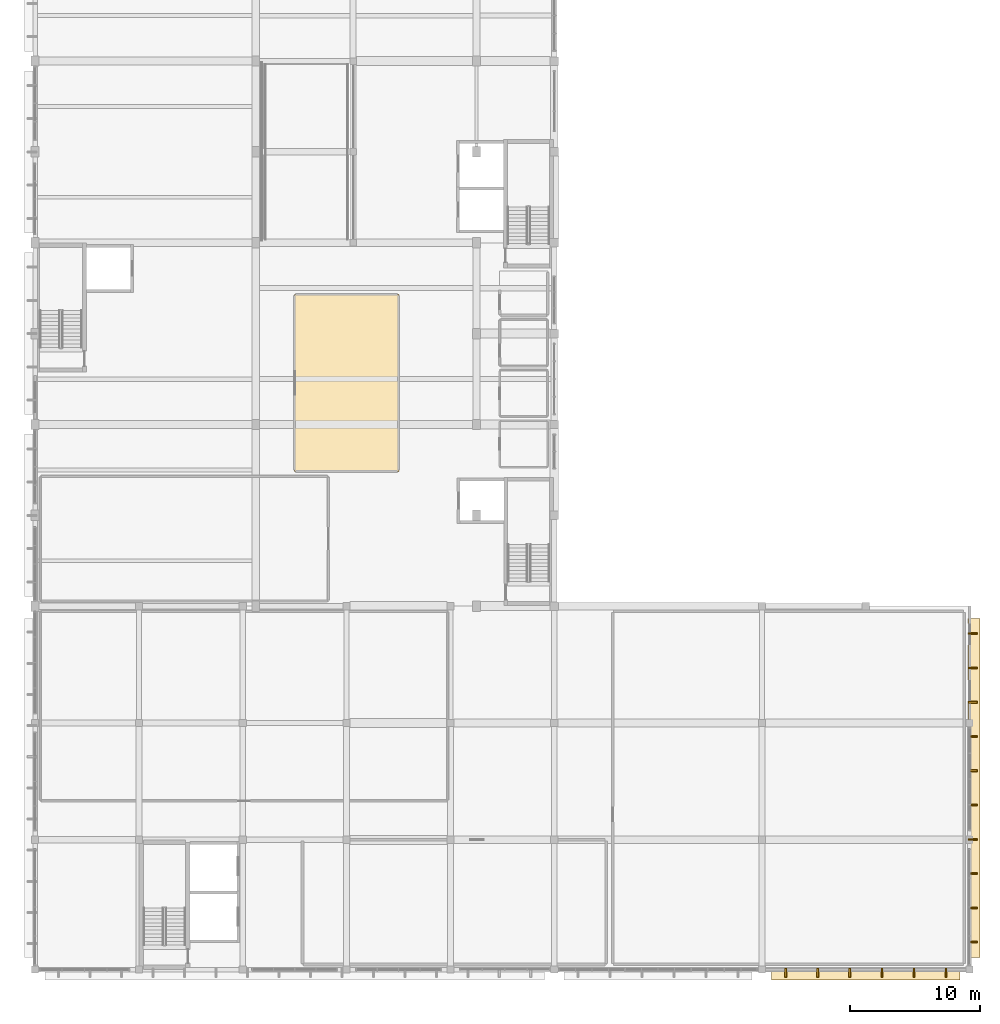
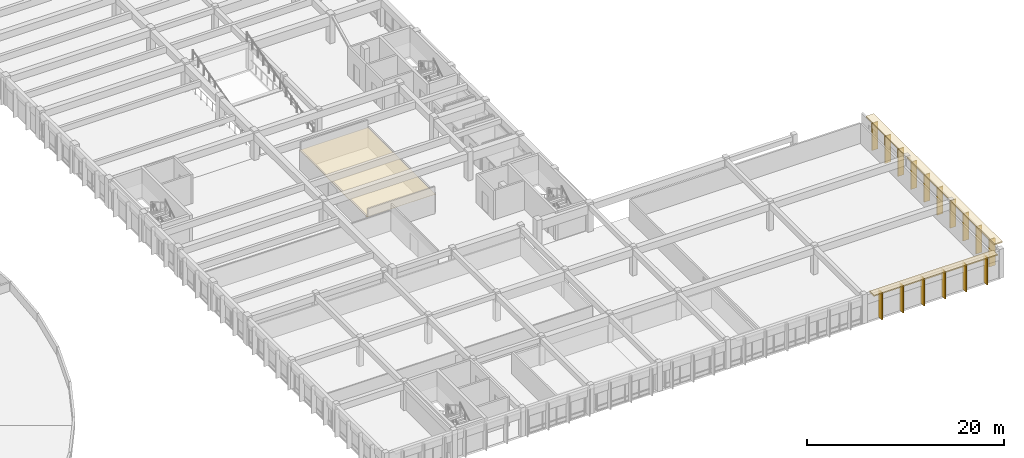
# One storey, part 74 of 77: 19 coverings.
"""IFC4 building model written with IfcOpenShell, lengths in metres."""

from ifc_helpers import new_model, si_unit, direction, frame, origin, origin_2d, place, context, subcontext, project, spatial, polyline, rectangle, outline, extrude, material, layer, layer_set, type_object, element, save


model = new_model("IFC4")

# Units and contexts
model_context = context("Model", 3, precision=1e-05, world=origin(), true_north=direction((0.0, 1.0)))
body_context = subcontext(model_context, "Body", "Model", "MODEL_VIEW")
ifc_project = project(units=[si_unit("LENGTHUNIT", "METRE"), si_unit("AREAUNIT", "SQUARE_METRE"), si_unit("VOLUMEUNIT", "CUBIC_METRE"), si_unit("PLANEANGLEUNIT", "RADIAN"), si_unit("MASSUNIT", "GRAM", prefix="KILO")], contexts=[model_context])

# Site, building, storey
site_placement = place(None, origin())
site = spatial("IfcSite", under=ifc_project, at=site_placement, CompositionType="ELEMENT")
building_placement = place(site_placement, origin())
building = spatial("IfcBuilding", under=site, at=building_placement, Name="Larkveld Mobility Hub", CompositionType="ELEMENT")
storey_placement = place(building_placement, frame((0.0, 0.0, 12.0)))
storey = spatial("IfcBuildingStorey", under=building, at=storey_placement, Name="L03", CompositionType="ELEMENT", Elevation=12.0)

# Coverings
ifc_material_1 = material(Name="Precast concrete C50/60", Category="concrete")
ifc_layer_1 = layer(ifc_material_1, 0.14990234375, Name="Precast concrete C50/60", Category="concrete")
ifc_layer_set_1 = layer_set([ifc_layer_1], Name="Precast concrete C50/60")
covering_type_1 = type_object("IfcCoveringType", Name="COV-QSL-H01", PredefinedType="CLADDING", material=ifc_layer_set_1)
covering_1_placement = place(storey_placement, frame((176.0, -0.340087890625, 3.3701171875), z_axis=(0.0, 0.0, 1.0), x_axis=(1.0, 0.0, 0.0)))
element("IfcCovering", 1, at=covering_1_placement, inside=storey, type_object=covering_type_1, Name="Precast Quebra-Sol Horizontal Sunbreaker QSH-324", PredefinedType="CLADDING", context=body_context, shape_type="SweptSolid", body=[
    extrude(rectangle(XDim=14.5, YDim=0.919921875, at=origin_2d()), origin(), (0.0, 0.0, 1.0), 0.14990234375),
])
covering_2_placement = place(storey_placement, frame((184.340087890625, 14.0, 3.3701171875), z_axis=(0.0, 0.0, 1.0), x_axis=(0.0, 1.0, 0.0)))
element("IfcCovering", 2, at=covering_2_placement, inside=storey, type_object=covering_type_1, Name="Precast Quebra-Sol Horizontal Sunbreaker QSH-331", PredefinedType="CLADDING", context=body_context, shape_type="SweptSolid", body=[
    extrude(rectangle(XDim=26.10009765625, YDim=0.919921875, at=origin_2d()), origin(), (0.0, 0.0, 1.0), 0.14990234375),
])
ifc_layer_2 = layer(ifc_material_1, 0.1201171875, Name="Precast concrete C50/60", Category="concrete")
ifc_layer_set_2 = layer_set([ifc_layer_2], Name="Precast concrete C50/60")
covering_type_2 = type_object("IfcCoveringType", Name="COV-QSL-V01", PredefinedType="CLADDING", material=ifc_layer_set_2)
for number, where, z_axis, x_axis, name in (
    (3, (169.8330078125, -0.239990234375, -0.01953125), (0.0, 0.0, 1.0), (1.0, 0.0, 0.0), "Precast Quebra-Sol Vertical Fin QSV-325"),
    (4, (172.300048828125, -0.239990234375, -0.01953125), (0.0, 0.0, 1.0), (1.0, 0.0, 0.0), "Precast Quebra-Sol Vertical Fin QSV-326"),
    (5, (174.76708984375, -0.239990234375, -0.01953125), (0.0, 0.0, 1.0), (1.0, 0.0, 0.0), "Precast Quebra-Sol Vertical Fin QSV-327"),
    (6, (177.23291015625, -0.239990234375, -0.01953125), (0.0, 0.0, 1.0), (1.0, 0.0, 0.0), "Precast Quebra-Sol Vertical Fin QSV-328"),
    (7, (179.699951171875, -0.239990234375, -0.01953125), (0.0, 0.0, 1.0), (1.0, 0.0, 0.0), "Precast Quebra-Sol Vertical Fin QSV-329"),
    (8, (182.1669921875, -0.239990234375, -0.01953125), (0.0, 0.0, 1.0), (1.0, 0.0, 0.0), "Precast Quebra-Sol Vertical Fin QSV-330"),
    (9, (184.239990234375, 2.1201171875, -0.01953125), (0.0, 0.0, 1.0), (0.0, 1.0, 0.0), "Precast Quebra-Sol Vertical Fin QSV-332"),
    (10, (184.239990234375, 4.760009765625, -0.01953125), (0.0, 0.0, 1.0), (0.0, 1.0, 0.0), "Precast Quebra-Sol Vertical Fin QSV-333"),
    (11, (184.239990234375, 7.39990234375, -0.01953125), (0.0, 0.0, 1.0), (0.0, 1.0, 0.0), "Precast Quebra-Sol Vertical Fin QSV-334"),
    (12, (184.239990234375, 10.0400390625, -0.01953125), (0.0, 0.0, 1.0), (0.0, 1.0, 0.0), "Precast Quebra-Sol Vertical Fin QSV-335"),
    (13, (184.239990234375, 12.679931640625, -0.01953125), (0.0, 0.0, 1.0), (0.0, 1.0, 0.0), "Precast Quebra-Sol Vertical Fin QSV-336"),
    (14, (184.239990234375, 15.320068359375, -0.01953125), (0.0, 0.0, 1.0), (0.0, 1.0, 0.0), "Precast Quebra-Sol Vertical Fin QSV-337"),
    (15, (184.239990234375, 17.9599609375, -0.01953125), (0.0, 0.0, 1.0), (0.0, 1.0, 0.0), "Precast Quebra-Sol Vertical Fin QSV-338"),
    (16, (184.239990234375, 20.60009765625, -0.01953125), (0.0, 0.0, 1.0), (0.0, 1.0, 0.0), "Precast Quebra-Sol Vertical Fin QSV-339"),
    (17, (184.239990234375, 23.239990234375, -0.01953125), (0.0, 0.0, 1.0), (0.0, 1.0, 0.0), "Precast Quebra-Sol Vertical Fin QSV-340"),
    (18, (184.239990234375, 25.8798828125, -0.01953125), (0.0, 0.0, 1.0), (0.0, 1.0, 0.0), "Precast Quebra-Sol Vertical Fin QSV-341"),
):
    element("IfcCovering", number, at=place(storey_placement, frame(where, z_axis=z_axis, x_axis=x_axis)), inside=storey, type_object=covering_type_2, Name=name, PredefinedType="CLADDING", context=body_context, shape_type="SweptSolid", body=[
        extrude(rectangle(XDim=0.1201171875, YDim=0.719970703125, at=origin_2d()), origin(), (0.0, 0.0, 1.0), 3.375),
    ])
ifc_material_2 = material(Name="Moisture-resistant gypsum board ceiling", Category="masonry")
ifc_layer_3 = layer(ifc_material_2, 0.02490234375, Name="Moisture-resistant gypsum board ceiling", Category="masonry")
ifc_layer_set_3 = layer_set([ifc_layer_3], Name="Moisture-resistant gypsum board ceiling")
covering_type_3 = type_object("IfcCoveringType", Name="CV-CLG-025", PredefinedType="CEILING", material=ifc_layer_set_3)
covering_3_placement = place(storey_placement, frame((0.0, 0.0, 2.324951171875)))
element("IfcCovering", 19, at=covering_3_placement, inside=storey, type_object=covering_type_3, Name="Commuter Reading Room and Parcel Locker Shop Acoustic Ceiling 039", PredefinedType="CEILING", context=body_context, shape_type="SweptSolid", body=[
    extrude(outline(polyline([(132.02001953125, 38.3701171875), (132.01708984375, 38.3701171875), (132.013916015625, 38.37109375), (132.010986328125, 38.37109375), (132.009033203125, 38.3720703125), (132.006103515625, 38.3740234375), (132.0029296875, 38.375), (132.0009765625, 38.376953125), (131.9990234375, 38.37890625), (131.97900390625, 38.39892578125), (131.97705078125, 38.40087890625), (131.97509765625, 38.403076171875), (131.97412109375, 38.406005859375), (131.971923828125, 38.408935546875), (131.970947265625, 38.410888671875), (131.970947265625, 38.4140625), (131.969970703125, 38.4169921875), (131.969970703125, 38.419921875), (131.971923828125, 51.989013671875), (131.972900390625, 51.992919921875), (131.972900390625, 51.99609375), (131.97412109375, 51.9990234375), (131.97509765625, 52.0009765625), (131.97607421875, 52.00390625), (131.97802734375, 52.007080078125), (131.97998046875, 52.009033203125), (131.98193359375, 52.010986328125), (131.98388671875, 52.012939453125), (131.987060546875, 52.014892578125), (132.0048828125, 52.02587890625), (132.007080078125, 52.027099609375), (132.009033203125, 52.028076171875), (132.011962890625, 52.029052734375), (132.014892578125, 52.030029296875), (132.01708984375, 52.030029296875), (132.02001953125, 52.030029296875), (139.989013671875, 52.028076171875), (139.992919921875, 52.027099609375), (139.99609375, 52.027099609375), (139.9990234375, 52.02587890625), (140.0009765625, 52.02490234375), (140.00390625, 52.02392578125), (140.007080078125, 52.02197265625), (140.009033203125, 52.02001953125), (140.010986328125, 52.01806640625), (140.012939453125, 52.01611328125), (140.014892578125, 52.012939453125), (140.02587890625, 51.9951171875), (140.027099609375, 51.992919921875), (140.028076171875, 51.990966796875), (140.029052734375, 51.988037109375), (140.030029296875, 51.985107421875), (140.030029296875, 51.98291015625), (140.030029296875, 51.97998046875), (140.028076171875, 38.410888671875), (140.027099609375, 38.406982421875), (140.027099609375, 38.404052734375), (140.02587890625, 38.40087890625), (140.02490234375, 38.39892578125), (140.02392578125, 38.39599609375), (140.02197265625, 38.39306640625), (140.02001953125, 38.39111328125), (140.01806640625, 38.388916015625), (140.01611328125, 38.386962890625), (140.012939453125, 38.385009765625), (139.9951171875, 38.3740234375), (139.992919921875, 38.373046875), (139.989990234375, 38.3720703125), (139.986083984375, 38.37109375), (139.98291015625, 38.3701171875), (139.97998046875, 38.3701171875), (132.02001953125, 38.3701171875)])), origin(), (0.0, 0.0, 1.0), 0.025146484375),
])

save(model, "model.ifc")
